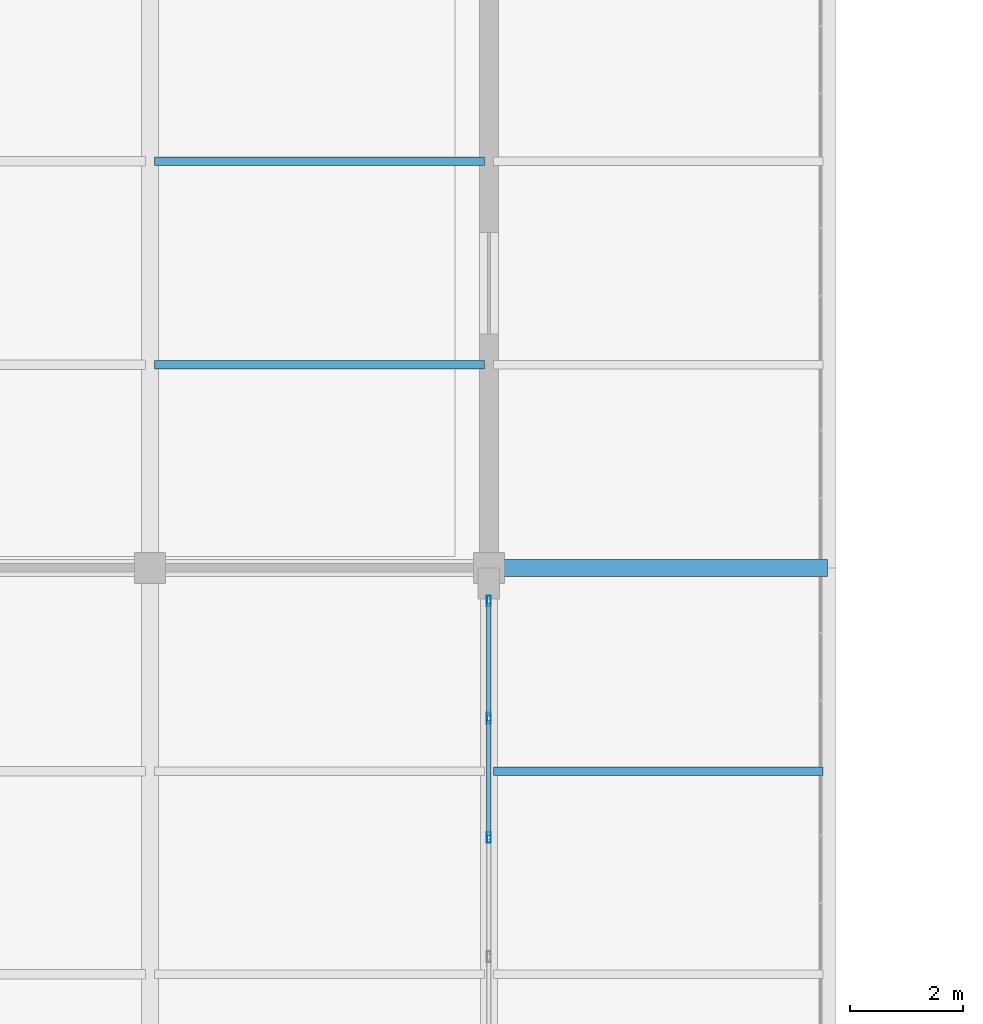
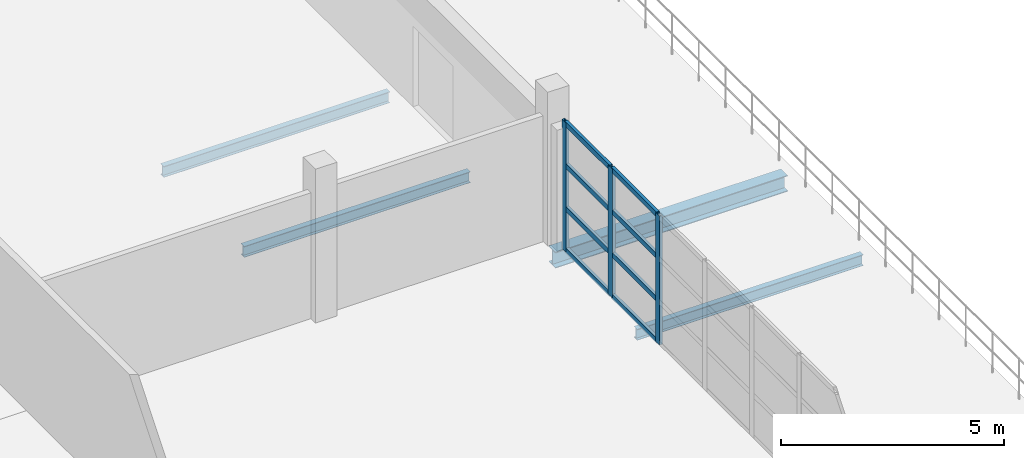
# One storey, part 17 of 86: 11 members, 4 beams, 1 element without a shape of its own.
"""IFC4 building model written with IfcOpenShell, lengths in metres."""

from ifc_helpers import new_model, si_unit, direction, frame, origin, origin_2d, place, context, subcontext, project, spatial, hollow_rectangle, i_section, extrude, material, layer, layer_set, material_profile, profile_set, type_object, element, aggregate, save


model = new_model("IFC4")

# Units and contexts
model_context = context("Model", 3, precision=1e-05, world=origin(), true_north=direction((0.0, 1.0)))
body_context = subcontext(model_context, "Body", "Model", "MODEL_VIEW")
ifc_project = project(units=[si_unit("LENGTHUNIT", "METRE"), si_unit("AREAUNIT", "SQUARE_METRE"), si_unit("VOLUMEUNIT", "CUBIC_METRE"), si_unit("PLANEANGLEUNIT", "RADIAN"), si_unit("MASSUNIT", "GRAM", prefix="KILO")], contexts=[model_context])

# Site, building, storey
site_placement = place(None, origin())
site = spatial("IfcSite", under=ifc_project, at=site_placement, CompositionType="ELEMENT")
building_placement = place(site_placement, origin())
building = spatial("IfcBuilding", under=site, at=building_placement, Name="Zilviju Railside Exhibition Hall", CompositionType="ELEMENT")
storey_placement = place(building_placement, frame((0.0, 0.0, 12.60009765625)))
storey = spatial("IfcBuildingStorey", under=building, at=storey_placement, Name="L04", CompositionType="ELEMENT", Elevation=12.60009765625)

# Beams
ifc_material_1 = material(Name="Steel S355J2", Category="steel")
ifc_material_profile_1 = material_profile(ifc_material_1, i_section(OverallWidth=0.300048828125, OverallDepth=0.43994140625, WebThickness=0.011474609375, FlangeThickness=0.02099609375, at=origin_2d()), Name="HEA 450")
ifc_profile_set_1 = profile_set([ifc_material_profile_1], Name="Steel S355J2")
beam_type_1 = type_object("IfcBeamType", Name="BM-HEA450", PredefinedType="BEAM", material=ifc_profile_set_1)
beam_placement = place(storey_placement, frame((42.0, 102.0, -0.56005859375), z_axis=(1.0, 0.0, 0.0), x_axis=(0.0, 1.0, 0.0)))
element("IfcBeam", 1, at=beam_placement, inside=storey, type_object=beam_type_1, Name="Primary Girder L04 Y=102.0 (42.0..48.0)", PredefinedType="BEAM", context=body_context, shape_type="SweptSolid", body=[
    extrude(i_section(OverallWidth=0.300048828125, OverallDepth=0.43994140625, WebThickness=0.011474609375, FlangeThickness=0.02099609375, at=origin_2d()), origin(), (0.0, 0.0, 1.0), 6.0),
])
ifc_material_profile_2 = material_profile(ifc_material_1, i_section(OverallWidth=0.14990234375, OverallDepth=0.300048828125, WebThickness=0.007080078125, FlangeThickness=0.0107421875, at=origin_2d()), Name="IPE 300")
ifc_profile_set_2 = profile_set([ifc_material_profile_2], Name="Steel S355J2")
beam_type_2 = type_object("IfcBeamType", Name="BM-IPE300", PredefinedType="JOIST", material=ifc_profile_set_2)
for number, where, z_axis, x_axis, name in (
    (2, (36.080078125, 105.60009765625, -0.489990234375), (1.0, 0.0, 0.0), (0.0, 1.0, 0.0), "Composite Floor Joist L04 Y=105.60 (36.0..42.0)"),
    (3, (36.080078125, 109.199951171875, -0.489990234375), (1.0, 0.0, 0.0), (0.0, 1.0, 0.0), "Composite Floor Joist L04 Y=109.20 (36.0..42.0)"),
    (4, (42.080078125, 98.39990234375, -0.489990234375), (1.0, 0.0, 0.0), (0.0, 1.0, 0.0), "Composite Floor Joist L04 Y=98.40 (42.0..48.0)"),
):
    element("IfcBeam", number, at=place(storey_placement, frame(where, z_axis=z_axis, x_axis=x_axis)), inside=storey, type_object=beam_type_2, Name=name, PredefinedType="JOIST", context=body_context, shape_type="SweptSolid", body=[
        extrude(i_section(OverallWidth=0.14990234375, OverallDepth=0.300048828125, WebThickness=0.007080078125, FlangeThickness=0.0107421875, at=origin_2d()), origin(), (0.0, 0.0, 1.0), 5.83984375),
    ])

# Curtain wall, members
ifc_material_2 = material(Name="Thermally broken aluminium-steel triple-glazed curtain wall", Category="steel")
ifc_layer = layer(ifc_material_2, 0.179931640625)
ifc_layer_set = layer_set([ifc_layer], Name="Thermally broken aluminium-steel triple-glazed curtain wall")
curtain_wall_type = type_object("IfcCurtainWallType", Name="CW-BAY-07", PredefinedType="USERDEFINED", material=ifc_layer_set)
curtain_wall_placement = place(storey_placement, origin())
curtain_wall = element("IfcCurtainWall", 5, at=curtain_wall_placement, inside=storey, type_object=curtain_wall_type, Name="Organisers L04 Terrace Lounge Curtain Wall", ObjectType="GLAZED CURTAIN WALL", PredefinedType="USERDEFINED")
ifc_material_3 = material(Name="Thermally broken anodized aluminium mullion", Category="aluminium")
ifc_material_profile_3 = material_profile(ifc_material_3, hollow_rectangle(XDim=0.074951171875, YDim=0.18994140625, WallThickness=0.0048828125, at=origin_2d()), Name="MULLION 190x75x5")
ifc_profile_set_3 = profile_set([ifc_material_profile_3], Name="Thermally broken anodized aluminium mullion")
member_type_1 = type_object("IfcMemberType", Name="CWM-75x190", PredefinedType="MULLION", material=ifc_profile_set_3)
member_1_placement = place(storey_placement, frame((42.0, 101.41259765625, 0.0), z_axis=(0.0, 0.0, 1.0), x_axis=(1.0, 0.0, 0.0)))
member_1 = element("IfcMember", 6, at=member_1_placement, type_object=member_type_1, Name="CW-07 mullion 1", PredefinedType="MULLION", context=body_context, shape_type="SweptSolid", body=[
    extrude(hollow_rectangle(XDim=0.074951171875, YDim=0.18994140625, WallThickness=0.0048828125, at=origin_2d()), origin(), (0.0, 0.0, 1.0), 3.52001953125),
])
member_2_placement = place(storey_placement, frame((42.0, 99.33740234375, 0.0), z_axis=(0.0, 0.0, 1.0), x_axis=(1.0, 0.0, 0.0)))
member_2 = element("IfcMember", 7, at=member_2_placement, type_object=member_type_1, Name="CW-07 mullion 2", PredefinedType="MULLION", context=body_context, shape_type="SweptSolid", body=[
    extrude(hollow_rectangle(XDim=0.074951171875, YDim=0.18994140625, WallThickness=0.0048828125, at=origin_2d()), origin(), (0.0, 0.0, 1.0), 3.52001953125),
])
member_3_placement = place(storey_placement, frame((42.0, 97.22509765625, 0.0), z_axis=(0.0, 0.0, 1.0), x_axis=(1.0, 0.0, 0.0)))
member_3 = element("IfcMember", 8, at=member_3_placement, type_object=member_type_1, Name="CW-07 mullion 3", PredefinedType="MULLION", context=body_context, shape_type="SweptSolid", body=[
    extrude(hollow_rectangle(XDim=0.074951171875, YDim=0.18994140625, WallThickness=0.0048828125, at=origin_2d()), origin(), (0.0, 0.0, 1.0), 3.52001953125),
])
ifc_material_4 = material(Name="Thermally broken anodized aluminium transom", Category="aluminium")
ifc_material_profile_4 = material_profile(ifc_material_4, hollow_rectangle(XDim=0.074951171875, YDim=0.139892578125, WallThickness=0.0048828125, at=origin_2d()), Name="TRANSOM 140x75x5")
ifc_profile_set_4 = profile_set([ifc_material_profile_4], Name="Thermally broken anodized aluminium transom")
member_type_2 = type_object("IfcMemberType", Name="CWT-75x140", PredefinedType="USERDEFINED", material=ifc_profile_set_4)
member_4_placement = place(storey_placement, frame((42.0, 101.375, 0.037353515625), z_axis=(0.0, -1.0, 0.0), x_axis=(1.0, 0.0, 0.0)))
member_4 = element("IfcMember", 9, at=member_4_placement, type_object=member_type_2, Name="CW-07 transom 1.1", ObjectType="TRANSOM", PredefinedType="USERDEFINED", context=body_context, shape_type="SweptSolid", body=[
    extrude(hollow_rectangle(XDim=0.074951171875, YDim=0.139892578125, WallThickness=0.0048828125, at=origin_2d()), origin(), (0.0, 0.0, 1.0), 2.0),
])
member_5_placement = place(storey_placement, frame((42.0, 101.375, 1.1728515625), z_axis=(0.0, -1.0, 0.0), x_axis=(1.0, 0.0, 0.0)))
member_5 = element("IfcMember", 10, at=member_5_placement, type_object=member_type_2, Name="CW-07 transom 1.2", ObjectType="TRANSOM", PredefinedType="USERDEFINED", context=body_context, shape_type="SweptSolid", body=[
    extrude(hollow_rectangle(XDim=0.074951171875, YDim=0.139892578125, WallThickness=0.0048828125, at=origin_2d()), origin(), (0.0, 0.0, 1.0), 2.0),
])
member_6_placement = place(storey_placement, frame((42.0, 101.375, 2.346923828125), z_axis=(0.0, -1.0, 0.0), x_axis=(1.0, 0.0, 0.0)))
member_6 = element("IfcMember", 11, at=member_6_placement, type_object=member_type_2, Name="CW-07 transom 1.3", ObjectType="TRANSOM", PredefinedType="USERDEFINED", context=body_context, shape_type="SweptSolid", body=[
    extrude(hollow_rectangle(XDim=0.074951171875, YDim=0.139892578125, WallThickness=0.0048828125, at=origin_2d()), origin(), (0.0, 0.0, 1.0), 2.0),
])
member_7_placement = place(storey_placement, frame((42.0, 101.375, 3.482421875), z_axis=(0.0, -1.0, 0.0), x_axis=(1.0, 0.0, 0.0)))
member_7 = element("IfcMember", 12, at=member_7_placement, type_object=member_type_2, Name="CW-07 transom 1.4", ObjectType="TRANSOM", PredefinedType="USERDEFINED", context=body_context, shape_type="SweptSolid", body=[
    extrude(hollow_rectangle(XDim=0.074951171875, YDim=0.139892578125, WallThickness=0.0048828125, at=origin_2d()), origin(), (0.0, 0.0, 1.0), 2.0),
])
member_8_placement = place(storey_placement, frame((42.0, 99.300048828125, 0.037353515625), z_axis=(0.0, -1.0, 0.0), x_axis=(1.0, 0.0, 0.0)))
member_8 = element("IfcMember", 13, at=member_8_placement, type_object=member_type_2, Name="CW-07 transom 2.1", ObjectType="TRANSOM", PredefinedType="USERDEFINED", context=body_context, shape_type="SweptSolid", body=[
    extrude(hollow_rectangle(XDim=0.074951171875, YDim=0.139892578125, WallThickness=0.0048828125, at=origin_2d()), origin(), (0.0, 0.0, 1.0), 2.03759765625),
])
member_9_placement = place(storey_placement, frame((42.0, 99.300048828125, 1.1728515625), z_axis=(0.0, -1.0, 0.0), x_axis=(1.0, 0.0, 0.0)))
member_9 = element("IfcMember", 14, at=member_9_placement, type_object=member_type_2, Name="CW-07 transom 2.2", ObjectType="TRANSOM", PredefinedType="USERDEFINED", context=body_context, shape_type="SweptSolid", body=[
    extrude(hollow_rectangle(XDim=0.074951171875, YDim=0.139892578125, WallThickness=0.0048828125, at=origin_2d()), origin(), (0.0, 0.0, 1.0), 2.03759765625),
])
member_10_placement = place(storey_placement, frame((42.0, 99.300048828125, 2.346923828125), z_axis=(0.0, -1.0, 0.0), x_axis=(1.0, 0.0, 0.0)))
member_10 = element("IfcMember", 15, at=member_10_placement, type_object=member_type_2, Name="CW-07 transom 2.3", ObjectType="TRANSOM", PredefinedType="USERDEFINED", context=body_context, shape_type="SweptSolid", body=[
    extrude(hollow_rectangle(XDim=0.074951171875, YDim=0.139892578125, WallThickness=0.0048828125, at=origin_2d()), origin(), (0.0, 0.0, 1.0), 2.03759765625),
])
member_11_placement = place(storey_placement, frame((42.0, 99.300048828125, 3.482421875), z_axis=(0.0, -1.0, 0.0), x_axis=(1.0, 0.0, 0.0)))
member_11 = element("IfcMember", 16, at=member_11_placement, type_object=member_type_2, Name="CW-07 transom 2.4", ObjectType="TRANSOM", PredefinedType="USERDEFINED", context=body_context, shape_type="SweptSolid", body=[
    extrude(hollow_rectangle(XDim=0.074951171875, YDim=0.139892578125, WallThickness=0.0048828125, at=origin_2d()), origin(), (0.0, 0.0, 1.0), 2.03759765625),
])
aggregate(curtain_wall, [member_1, member_2, member_3, member_4, member_5, member_6, member_7, member_8, member_9, member_10, member_11])

save(model, "model.ifc")
